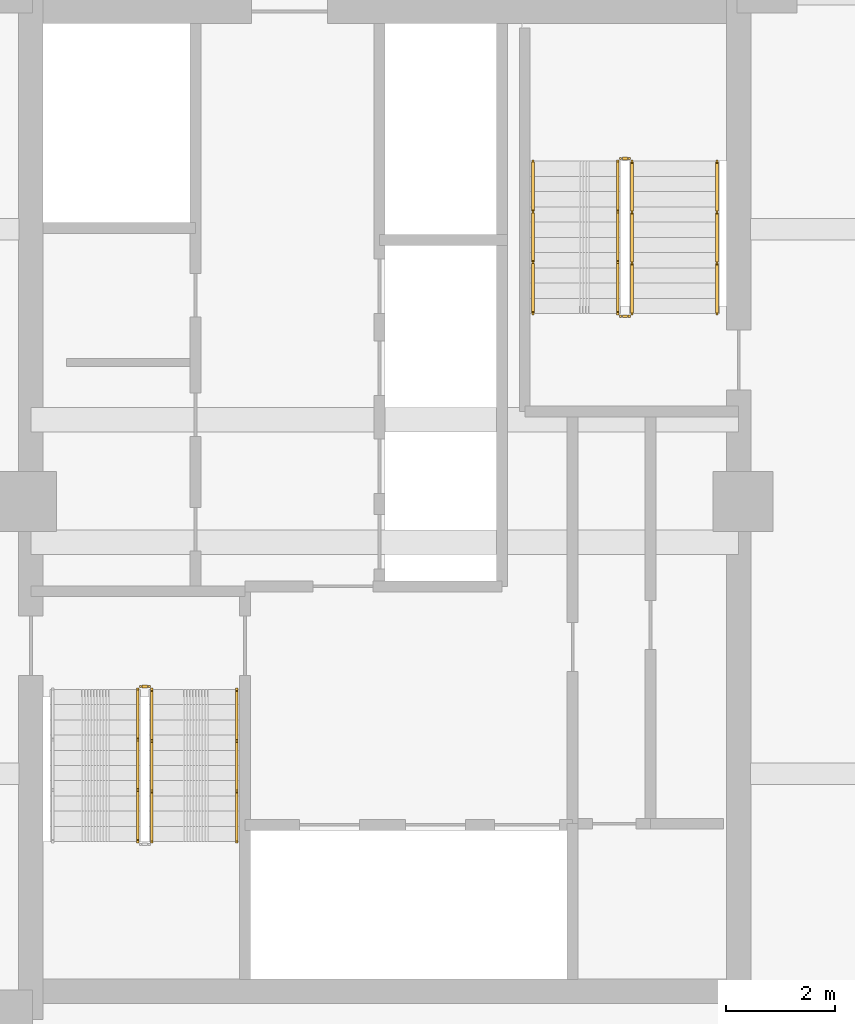
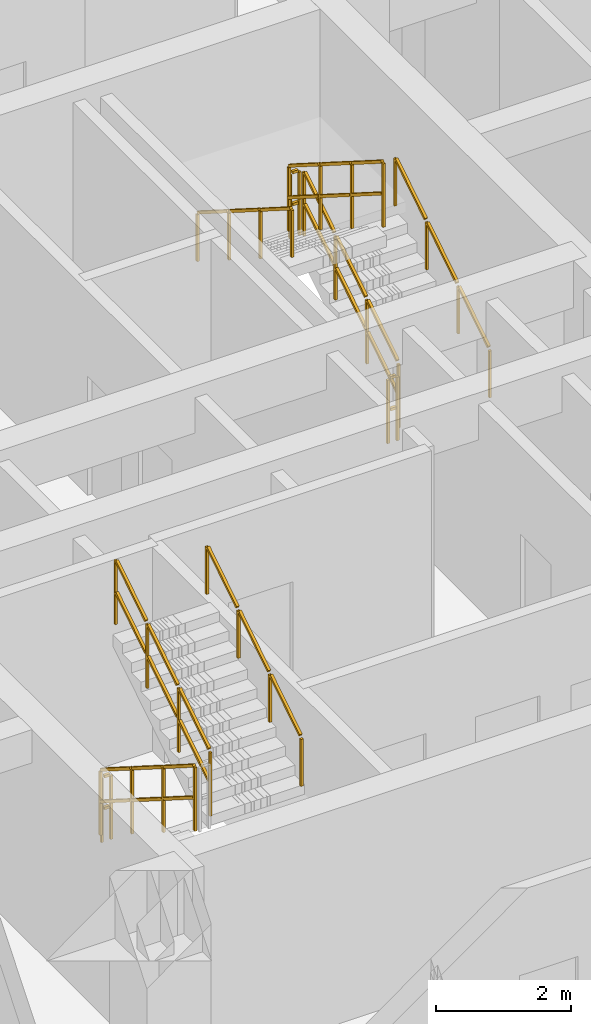
# One storey, part 13 of 15: 10 railings.
"""IFC4 building model written with IfcOpenShell, lengths in metres."""

import ifcopenshell
import ifcopenshell.guid

model = None  # the IFC model being written
_history = None  # IfcOwnerHistory: only IFC2X3 demands one
_inside = {}  # id of a spatial element -> (the spatial element, [elements in it])
_under = {}  # id of a project, library or spatial element -> (it, [spatial elements below it])
_declared = {}  # id of a project -> (the project, [libraries it declares])
_typed = {}  # id of a type object -> (the type object, [elements of that type])
_made_of = {}  # id of a material, layer set ... -> (it, [elements and type objects made of it])


def new_model(schema):
    """Start an empty IFC model of exactly this schema.

    Asked for "IFC4X3", IfcOpenShell would pick the latest addendum, in which some entities
    have other attributes; the version numbers below select the first issue.
    IFC2X3 requires an IfcOwnerHistory on every rooted entity: one is made here for all.
    """
    global model, _history
    if schema == "IFC4X3":
        model = ifcopenshell.file(schema_version=(4, 3, 0, 0))
    else:
        model = ifcopenshell.file(schema=schema)
    _inside.clear()
    _under.clear()
    _declared.clear()
    _typed.clear()
    _made_of.clear()
    _history = None
    if model.schema == "IFC2X3":
        org = make("IfcOrganization", Name="unknown")
        user = make(
            "IfcPersonAndOrganization",
            ThePerson=make("IfcPerson", FamilyName="unknown"),
            TheOrganization=org,
        )
        app = make(
            "IfcApplication",
            ApplicationDeveloper=org,
            Version="unknown",
            ApplicationFullName="unknown",
            ApplicationIdentifier="unknown",
        )
        _history = make(
            "IfcOwnerHistory",
            OwningUser=user,
            OwningApplication=app,
            ChangeAction="ADDED",
            CreationDate=0,
        )
    return model


def make(cls, **values):
    """One entity of the class cls with the attributes given. An attribute that is None is left unset."""
    return model.create_entity(
        cls, **{name: value for name, value in values.items() if value is not None}
    )


def rooted(cls, **values):
    """An entity with a GlobalId (a new one), such as an element, a storey or a relation."""
    return make(cls, GlobalId=ifcopenshell.guid.new(), OwnerHistory=_history, **values)


def si_unit(unit_type, name, prefix=None):
    """IfcSIUnit, for example si_unit("LENGTHUNIT", "METRE", prefix="MILLI")."""
    return make("IfcSIUnit", UnitType=unit_type, Prefix=prefix, Name=name)


def assignment(units):
    """IfcUnitAssignment: the units of a project."""
    return None if units is None else make("IfcUnitAssignment", Units=units)


def point(xyz):
    """IfcCartesianPoint."""
    return None if xyz is None else make("IfcCartesianPoint", Coordinates=xyz)


def direction(xyz):
    """IfcDirection."""
    return None if xyz is None else make("IfcDirection", DirectionRatios=xyz)


def frame(location, z_axis=None, x_axis=None):
    """IfcAxis2Placement3D, a coordinate frame: its origin and axes. An axis left out is left unset."""
    return make(
        "IfcAxis2Placement3D",
        Location=point(location),
        Axis=direction(z_axis),
        RefDirection=direction(x_axis),
    )


def frame_2d(location, x_axis=None):
    """IfcAxis2Placement2D, a coordinate frame in the plane: its origin and x axis."""
    return make(
        "IfcAxis2Placement2D", Location=point(location), RefDirection=direction(x_axis)
    )


def origin():
    """The frame at (0, 0, 0) with its axes left unset."""
    return frame((0.0, 0.0, 0.0))


def origin_2d():
    """The frame at (0, 0) in the plane with its x axis left unset."""
    return frame_2d((0.0, 0.0))


def place(relative_to, where):
    """IfcLocalPlacement: puts the frame where relative to a parent placement (None: the world)."""
    return make(
        "IfcLocalPlacement", PlacementRelTo=relative_to, RelativePlacement=where
    )


def context(
    kind, dimensions, precision=None, world=None, true_north=None, identifier=None
):
    """IfcGeometricRepresentationContext, for example the 3D "Model" context."""
    return make(
        "IfcGeometricRepresentationContext",
        ContextIdentifier=identifier,
        ContextType=kind,
        CoordinateSpaceDimension=dimensions,
        Precision=precision,
        WorldCoordinateSystem=world,
        TrueNorth=true_north,
    )


def subcontext(parent, identifier, kind, view, scale=None):
    """IfcGeometricRepresentationSubContext, for example "Body" below "Model"."""
    return make(
        "IfcGeometricRepresentationSubContext",
        ContextIdentifier=identifier,
        ContextType=kind,
        ParentContext=parent,
        TargetScale=scale,
        TargetView=view,
    )


def project(units=None, contexts=None):
    """IfcProject with its units and contexts."""
    return rooted(
        "IfcProject",
        Name="project",
        RepresentationContexts=contexts,
        UnitsInContext=assignment(units),
    )


def spatial(cls, under=None, at=None, **own):
    """A site, building, storey or space (cls), placed at a placement, below another one or the project."""
    s = rooted(cls, ObjectPlacement=at, **own)
    if under is not None:
        _under.setdefault(under.id(), (under, []))[1].append(s)
    return s


def profile(cls, at=None, kind="AREA", **sizes):
    """A parametric profile (cls). Its sizes go by their IFC names, for example OverallWidth=200.0."""
    return make(cls, ProfileType=kind, Position=at, **sizes)


def rectangle(**sizes):
    """IfcRectangleProfileDef."""
    return profile("IfcRectangleProfileDef", **sizes)


def extrude(swept, where, along, depth):
    """IfcExtrudedAreaSolid: the profile swept, set in the frame where, extruded along a direction by depth."""
    return make(
        "IfcExtrudedAreaSolid",
        SweptArea=swept,
        Position=where,
        ExtrudedDirection=direction(along),
        Depth=depth,
    )


def shape(context_of_items, identifier, shape_type, items):
    """IfcShapeRepresentation: the items that make up one representation, for example the "Body"."""
    return make(
        "IfcShapeRepresentation",
        ContextOfItems=context_of_items,
        RepresentationIdentifier=identifier,
        RepresentationType=shape_type,
        Items=items,
    )


def material(Name=None, Category=None):
    """IfcMaterial."""
    return make("IfcMaterial", Name=Name, Category=Category)


def made_of(thing, what):
    """Note that an element or type object is made of a material, layer set ...; save() writes the relation."""
    if what is not None:
        _made_of.setdefault(what.id(), (what, []))[1].append(thing)
    return thing


def type_object(cls, material=None, **own):
    """A type object (cls), such as IfcWallType, which elements share."""
    return made_of(rooted(cls, **own), material)


def element(
    cls,
    number,
    at=None,
    inside=None,
    cuts=None,
    type_object=None,
    material=None,
    context=None,
    identifier="Body",
    shape_type=None,
    held_by="IfcProductDefinitionShape",
    body=None,
    shapes=None,
    **own,
):
    """One element of the class cls, such as IfcWall. Its Tag is "e" and its number.

    at: its placement. inside: the storey or other place that contains it. cuts: it is an
    opening in that element (IfcRelVoidsElement). A single representation is given by context,
    identifier, shape_type and body (its items); several are given by shapes. held_by: the class
    of the entity that holds the representations. save() writes the other relations.
    """
    e = rooted(cls, Tag="e%d" % number, ObjectPlacement=at, **own)
    if body is not None:
        shapes = [shape(context, identifier, shape_type, body)]
    if shapes is not None:
        e.Representation = make(held_by, Representations=shapes)
    if inside is not None:
        _inside.setdefault(inside.id(), (inside, []))[1].append(e)
    if cuts is not None:
        rooted(
            "IfcRelVoidsElement", RelatingBuildingElement=cuts, RelatedOpeningElement=e
        )
    if type_object is not None:
        _typed.setdefault(type_object.id(), (type_object, []))[1].append(e)
    return made_of(e, material)


def aggregate(whole, parts):
    """IfcRelAggregates: a whole, such as a stair, and the parts it consists of."""
    return rooted("IfcRelAggregates", RelatingObject=whole, RelatedObjects=parts)


def save(model, path):
    """Write the relations noted so far, then the file.

    IfcRelAggregates (storeys below a building ...), IfcRelContainedInSpatialStructure (elements
    in a storey), IfcRelDefinesByType, IfcRelAssociatesMaterial and IfcRelDeclares: one each for
    every whole, place, type object, material and project.
    """
    for whole, parts in _under.values():
        aggregate(whole, parts)
    for where, things in _inside.values():
        rooted(
            "IfcRelContainedInSpatialStructure",
            RelatedElements=things,
            RelatingStructure=where,
        )
    for kind, things in _typed.values():
        rooted("IfcRelDefinesByType", RelatedObjects=things, RelatingType=kind)
    for what, things in _made_of.values():
        rooted("IfcRelAssociatesMaterial", RelatedObjects=things, RelatingMaterial=what)
    for by, libraries in _declared.values():
        rooted("IfcRelDeclares", RelatingContext=by, RelatedDefinitions=libraries)
    model.write(path)


model = new_model("IFC4")

# Units and contexts
model_context = context("Model", 3, precision=1e-05, world=origin(), true_north=direction((0.0, 1.0)))
body_context = subcontext(model_context, "Body", "Model", "MODEL_VIEW")
ifc_project = project(units=[si_unit("LENGTHUNIT", "METRE"), si_unit("AREAUNIT", "SQUARE_METRE"), si_unit("VOLUMEUNIT", "CUBIC_METRE"), si_unit("PLANEANGLEUNIT", "RADIAN"), si_unit("MASSUNIT", "GRAM", prefix="KILO")], contexts=[model_context])

# Site, building, storey
site_placement = place(None, origin())
site = spatial("IfcSite", under=ifc_project, at=site_placement, CompositionType="ELEMENT")
building_placement = place(site_placement, origin())
building = spatial("IfcBuilding", under=site, at=building_placement, Name="Saelheon Loggia Tower", CompositionType="ELEMENT")
storey_placement = place(building_placement, frame((0.0, 0.0, 159.10009765625)))
storey = spatial("IfcBuildingStorey", under=building, at=storey_placement, Name="L50", CompositionType="ELEMENT", Elevation=159.10009765625)

# Railings
ifc_material_1 = material(Name="Galvanised Steel S275 Stairwell Guardrail", Category="steel")
railing_type_1 = type_object("IfcRailingType", Name="Guard_StairWell_RL_STG", PredefinedType="GUARDRAIL", material=ifc_material_1)
railing_1_placement = place(storey_placement, frame((33.4599609375, 23.550048828125, 0.17724609375)))
element("IfcRailing", 1, at=railing_1_placement, inside=storey, type_object=railing_type_1, Name="L50 ST1 stair guard 1", PredefinedType="GUARDRAIL", context=body_context, shape_type="SweptSolid", body=[
    extrude(rectangle(XDim=0.048095703125, YDim=0.048095703125, at=origin_2d()), frame((0.0, -0.028076171875, 1.193603515625), z_axis=(0.0, -0.844908973607, 0.534910110503), x_axis=(1.0, 0.0, 0.0)), (0.0, 0.0, 1.0), 1.0380859375),
    extrude(rectangle(XDim=0.048095703125, YDim=0.048095703125, at=origin_2d()), frame((0.0, -0.028076171875, 0.61767578125), z_axis=(0.0, -0.844908973607, 0.534910110503), x_axis=(1.0, 0.0, 0.0)), (0.0, 0.0, 1.0), 1.0380859375),
    extrude(rectangle(XDim=0.048095703125, YDim=0.048095703125, at=origin_2d()), frame((0.0, -0.96142578125, 1.78466796875), z_axis=(0.0, -0.844908973607, 0.534910110503), x_axis=(1.0, 0.0, 0.0)), (0.0, 0.0, 1.0), 1.0380859375),
    extrude(rectangle(XDim=0.048095703125, YDim=0.048095703125, at=origin_2d()), frame((0.0, -0.96142578125, 1.208740234375), z_axis=(0.0, -0.844908973607, 0.534910110503), x_axis=(1.0, 0.0, 0.0)), (0.0, 0.0, 1.0), 1.0380859375),
    extrude(rectangle(XDim=0.048095703125, YDim=0.048095703125, at=origin_2d()), frame((0.0, -1.894775390625, 2.37548828125), z_axis=(0.0, -0.844908973607, 0.534910110503), x_axis=(1.0, 0.0, 0.0)), (0.0, 0.0, 1.0), 1.0380859375),
    extrude(rectangle(XDim=0.048095703125, YDim=0.048095703125, at=origin_2d()), frame((0.0, -1.894775390625, 1.799560546875), z_axis=(0.0, -0.844908973607, 0.534910110503), x_axis=(1.0, 0.0, 0.0)), (0.0, 0.0, 1.0), 1.0380859375),
    extrude(rectangle(XDim=0.0419921875, YDim=0.0419921875, at=origin_2d()), origin(), (0.0, 0.0, 1.0), 1.14794921875),
    extrude(rectangle(XDim=0.0419921875, YDim=0.0419921875, at=origin_2d()), frame((0.0, -0.933349609375, 0.5908203125)), (0.0, 0.0, 1.0), 1.14794921875),
    extrude(rectangle(XDim=0.0419921875, YDim=0.0419921875, at=origin_2d()), frame((0.0, -1.86669921875, 1.181884765625)), (0.0, 0.0, 1.0), 1.14794921875),
    extrude(rectangle(XDim=0.0419921875, YDim=0.0419921875, at=origin_2d()), frame((0.0, -2.800048828125, 1.772705078125)), (0.0, 0.0, 1.0), 1.14794921875),
])
railing_2_placement = place(storey_placement, frame((33.719970703125, 20.75, 2.127197265625)))
element("IfcRailing", 2, at=railing_2_placement, inside=storey, type_object=railing_type_1, Name="L50 ST1 stair guard 3", PredefinedType="GUARDRAIL", context=body_context, shape_type="SweptSolid", body=[
    extrude(rectangle(XDim=0.048095703125, YDim=0.048095703125, at=origin_2d()), frame((0.0, 0.028076171875, 1.193603515625), z_axis=(0.0, 0.844908973607, 0.534910110503), x_axis=(-1.0, 0.0, 0.0)), (0.0, 0.0, 1.0), 1.0380859375),
    extrude(rectangle(XDim=0.048095703125, YDim=0.048095703125, at=origin_2d()), frame((0.0, 0.028076171875, 0.61767578125), z_axis=(0.0, 0.844908973607, 0.534910110503), x_axis=(-1.0, 0.0, 0.0)), (0.0, 0.0, 1.0), 1.0380859375),
    extrude(rectangle(XDim=0.048095703125, YDim=0.048095703125, at=origin_2d()), frame((0.0, 0.96142578125, 1.78466796875), z_axis=(0.0, 0.844908973607, 0.534910110503), x_axis=(-1.0, 0.0, 0.0)), (0.0, 0.0, 1.0), 1.0380859375),
    extrude(rectangle(XDim=0.048095703125, YDim=0.048095703125, at=origin_2d()), frame((0.0, 0.96142578125, 1.208740234375), z_axis=(0.0, 0.844908973607, 0.534910110503), x_axis=(-1.0, 0.0, 0.0)), (0.0, 0.0, 1.0), 1.0380859375),
    extrude(rectangle(XDim=0.048095703125, YDim=0.048095703125, at=origin_2d()), frame((0.0, 1.894775390625, 2.37548828125), z_axis=(0.0, 0.844908973607, 0.534910110503), x_axis=(-1.0, 0.0, 0.0)), (0.0, 0.0, 1.0), 1.0380859375),
    extrude(rectangle(XDim=0.048095703125, YDim=0.048095703125, at=origin_2d()), frame((0.0, 1.894775390625, 1.799560546875), z_axis=(0.0, 0.844908973607, 0.534910110503), x_axis=(-1.0, 0.0, 0.0)), (0.0, 0.0, 1.0), 1.0380859375),
    extrude(rectangle(XDim=0.0419921875, YDim=0.0419921875, at=origin_2d()), origin(), (0.0, 0.0, 1.0), 1.14794921875),
    extrude(rectangle(XDim=0.0419921875, YDim=0.0419921875, at=origin_2d()), frame((0.0, 0.933349609375, 0.5908203125)), (0.0, 0.0, 1.0), 1.14794921875),
    extrude(rectangle(XDim=0.0419921875, YDim=0.0419921875, at=origin_2d()), frame((0.0, 1.86669921875, 1.181884765625)), (0.0, 0.0, 1.0), 1.14794921875),
    extrude(rectangle(XDim=0.0419921875, YDim=0.0419921875, at=origin_2d()), frame((0.0, 2.800048828125, 1.772705078125)), (0.0, 0.0, 1.0), 1.14794921875),
])
railing_3_placement = place(storey_placement, frame((33.510009765625, 23.60009765625, 0.0)))
element("IfcRailing", 3, at=railing_3_placement, inside=storey, type_object=railing_type_1, Name="L50 ST1 stair guard 4", PredefinedType="GUARDRAIL", context=body_context, shape_type="SweptSolid", body=[
    extrude(rectangle(XDim=0.048095703125, YDim=0.048095703125, at=origin_2d()), frame((0.033203125, 0.0, 1.17578125), z_axis=(1.0, 0.0, 0.0), x_axis=(0.0, 1.0, 0.0)), (0.0, 0.0, 1.0), 0.093505859375),
    extrude(rectangle(XDim=0.048095703125, YDim=0.048095703125, at=origin_2d()), frame((0.033203125, 0.0, 0.60009765625), z_axis=(1.0, 0.0, 0.0), x_axis=(0.0, 1.0, 0.0)), (0.0, 0.0, 1.0), 0.093505859375),
    extrude(rectangle(XDim=0.0419921875, YDim=0.0419921875, at=origin_2d()), origin(), (0.0, 0.0, 1.0), 1.14794921875),
    extrude(rectangle(XDim=0.0419921875, YDim=0.0419921875, at=origin_2d()), frame((0.159912109375, 0.0, 0.0)), (0.0, 0.0, 1.0), 1.14794921875),
])
railing_4_placement = place(storey_placement, frame((42.5400390625, 30.449951171875, 0.17724609375)))
element("IfcRailing", 4, at=railing_4_placement, inside=storey, type_object=railing_type_1, Name="L50 ST2 stair guard 1", PredefinedType="GUARDRAIL", context=body_context, shape_type="SweptSolid", body=[
    extrude(rectangle(XDim=0.048095703125, YDim=0.048095703125, at=origin_2d()), frame((0.0, 0.028076171875, 1.193603515625), z_axis=(0.0, 0.844908973607, 0.534910110503), x_axis=(-1.0, 0.0, 0.0)), (0.0, 0.0, 1.0), 1.0380859375),
    extrude(rectangle(XDim=0.048095703125, YDim=0.048095703125, at=origin_2d()), frame((0.0, 0.028076171875, 0.61767578125), z_axis=(0.0, 0.844908973607, 0.534910110503), x_axis=(-1.0, 0.0, 0.0)), (0.0, 0.0, 1.0), 1.0380859375),
    extrude(rectangle(XDim=0.048095703125, YDim=0.048095703125, at=origin_2d()), frame((0.0, 0.96142578125, 1.78466796875), z_axis=(0.0, 0.844908973607, 0.534910110503), x_axis=(-1.0, 0.0, 0.0)), (0.0, 0.0, 1.0), 1.0380859375),
    extrude(rectangle(XDim=0.048095703125, YDim=0.048095703125, at=origin_2d()), frame((0.0, 0.96142578125, 1.208740234375), z_axis=(0.0, 0.844908973607, 0.534910110503), x_axis=(-1.0, 0.0, 0.0)), (0.0, 0.0, 1.0), 1.0380859375),
    extrude(rectangle(XDim=0.048095703125, YDim=0.048095703125, at=origin_2d()), frame((0.0, 1.894775390625, 2.37548828125), z_axis=(0.0, 0.844908973607, 0.534910110503), x_axis=(-1.0, 0.0, 0.0)), (0.0, 0.0, 1.0), 1.0380859375),
    extrude(rectangle(XDim=0.048095703125, YDim=0.048095703125, at=origin_2d()), frame((0.0, 1.894775390625, 1.799560546875), z_axis=(0.0, 0.844908973607, 0.534910110503), x_axis=(-1.0, 0.0, 0.0)), (0.0, 0.0, 1.0), 1.0380859375),
    extrude(rectangle(XDim=0.0419921875, YDim=0.0419921875, at=origin_2d()), origin(), (0.0, 0.0, 1.0), 1.14794921875),
    extrude(rectangle(XDim=0.0419921875, YDim=0.0419921875, at=origin_2d()), frame((0.0, 0.933349609375, 0.5908203125)), (0.0, 0.0, 1.0), 1.14794921875),
    extrude(rectangle(XDim=0.0419921875, YDim=0.0419921875, at=origin_2d()), frame((0.0, 1.86669921875, 1.181884765625)), (0.0, 0.0, 1.0), 1.14794921875),
    extrude(rectangle(XDim=0.0419921875, YDim=0.0419921875, at=origin_2d()), frame((0.0, 2.800048828125, 1.772705078125)), (0.0, 0.0, 1.0), 1.14794921875),
])
railing_5_placement = place(storey_placement, frame((42.489990234375, 33.300048828125, 1.949951171875)))
element("IfcRailing", 5, at=railing_5_placement, inside=storey, type_object=railing_type_1, Name="L50 ST2 stair guard 2", PredefinedType="GUARDRAIL", context=body_context, shape_type="SweptSolid", body=[
    extrude(rectangle(XDim=0.048095703125, YDim=0.048095703125, at=origin_2d()), frame((-0.033203125, 0.0, 1.17578125), z_axis=(-1.0, 0.0, 0.0), x_axis=(0.0, -1.0, 0.0)), (0.0, 0.0, 1.0), 0.093505859375),
    extrude(rectangle(XDim=0.048095703125, YDim=0.048095703125, at=origin_2d()), frame((-0.033203125, 0.0, 0.60009765625), z_axis=(-1.0, 0.0, 0.0), x_axis=(0.0, -1.0, 0.0)), (0.0, 0.0, 1.0), 0.093505859375),
    extrude(rectangle(XDim=0.0419921875, YDim=0.0419921875, at=origin_2d()), origin(), (0.0, 0.0, 1.0), 1.14794921875),
    extrude(rectangle(XDim=0.0419921875, YDim=0.0419921875, at=origin_2d()), frame((-0.159912109375, 0.0, 0.0)), (0.0, 0.0, 1.0), 1.14794921875),
])
railing_6_placement = place(storey_placement, frame((42.280029296875, 33.25, 2.127197265625)))
element("IfcRailing", 6, at=railing_6_placement, inside=storey, type_object=railing_type_1, Name="L50 ST2 stair guard 3", PredefinedType="GUARDRAIL", context=body_context, shape_type="SweptSolid", body=[
    extrude(rectangle(XDim=0.048095703125, YDim=0.048095703125, at=origin_2d()), frame((0.0, -0.028076171875, 1.193603515625), z_axis=(0.0, -0.844908973607, 0.534910110503), x_axis=(1.0, 0.0, 0.0)), (0.0, 0.0, 1.0), 1.0380859375),
    extrude(rectangle(XDim=0.048095703125, YDim=0.048095703125, at=origin_2d()), frame((0.0, -0.028076171875, 0.61767578125), z_axis=(0.0, -0.844908973607, 0.534910110503), x_axis=(1.0, 0.0, 0.0)), (0.0, 0.0, 1.0), 1.0380859375),
    extrude(rectangle(XDim=0.048095703125, YDim=0.048095703125, at=origin_2d()), frame((0.0, -0.96142578125, 1.78466796875), z_axis=(0.0, -0.844908973607, 0.534910110503), x_axis=(1.0, 0.0, 0.0)), (0.0, 0.0, 1.0), 1.0380859375),
    extrude(rectangle(XDim=0.048095703125, YDim=0.048095703125, at=origin_2d()), frame((0.0, -0.96142578125, 1.208740234375), z_axis=(0.0, -0.844908973607, 0.534910110503), x_axis=(1.0, 0.0, 0.0)), (0.0, 0.0, 1.0), 1.0380859375),
    extrude(rectangle(XDim=0.048095703125, YDim=0.048095703125, at=origin_2d()), frame((0.0, -1.894775390625, 2.37548828125), z_axis=(0.0, -0.844908973607, 0.534910110503), x_axis=(1.0, 0.0, 0.0)), (0.0, 0.0, 1.0), 1.0380859375),
    extrude(rectangle(XDim=0.048095703125, YDim=0.048095703125, at=origin_2d()), frame((0.0, -1.894775390625, 1.799560546875), z_axis=(0.0, -0.844908973607, 0.534910110503), x_axis=(1.0, 0.0, 0.0)), (0.0, 0.0, 1.0), 1.0380859375),
    extrude(rectangle(XDim=0.0419921875, YDim=0.0419921875, at=origin_2d()), origin(), (0.0, 0.0, 1.0), 1.14794921875),
    extrude(rectangle(XDim=0.0419921875, YDim=0.0419921875, at=origin_2d()), frame((0.0, -0.933349609375, 0.5908203125)), (0.0, 0.0, 1.0), 1.14794921875),
    extrude(rectangle(XDim=0.0419921875, YDim=0.0419921875, at=origin_2d()), frame((0.0, -1.86669921875, 1.181884765625)), (0.0, 0.0, 1.0), 1.14794921875),
    extrude(rectangle(XDim=0.0419921875, YDim=0.0419921875, at=origin_2d()), frame((0.0, -2.800048828125, 1.772705078125)), (0.0, 0.0, 1.0), 1.14794921875),
])
railing_7_placement = place(storey_placement, frame((42.489990234375, 30.39990234375, 0.0)))
element("IfcRailing", 7, at=railing_7_placement, inside=storey, type_object=railing_type_1, Name="L50 ST2 stair guard 4", PredefinedType="GUARDRAIL", context=body_context, shape_type="SweptSolid", body=[
    extrude(rectangle(XDim=0.048095703125, YDim=0.048095703125, at=origin_2d()), frame((-0.033203125, 0.0, 1.17578125), z_axis=(-1.0, 0.0, 0.0), x_axis=(0.0, -1.0, 0.0)), (0.0, 0.0, 1.0), 0.093505859375),
    extrude(rectangle(XDim=0.048095703125, YDim=0.048095703125, at=origin_2d()), frame((-0.033203125, 0.0, 0.60009765625), z_axis=(-1.0, 0.0, 0.0), x_axis=(0.0, -1.0, 0.0)), (0.0, 0.0, 1.0), 0.093505859375),
    extrude(rectangle(XDim=0.0419921875, YDim=0.0419921875, at=origin_2d()), origin(), (0.0, 0.0, 1.0), 1.14794921875),
    extrude(rectangle(XDim=0.0419921875, YDim=0.0419921875, at=origin_2d()), frame((-0.159912109375, 0.0, 0.0)), (0.0, 0.0, 1.0), 1.14794921875),
])
ifc_material_2 = material(Name="Stainless Steel 304 Tubular Handrail", Category="steel")
railing_type_2 = type_object("IfcRailingType", Name="Handrail_Stair_RL_HR1", PredefinedType="HANDRAIL", material=ifc_material_2)
for number, where, name in (
    (8, (35.280029296875, 20.75, 2.127197265625), "L50 ST1 stair handrail 2"),
    (9, (44.10009765625, 30.449951171875, 0.17724609375), "L50 ST2 stair handrail 1"),
):
    element("IfcRailing", number, at=place(storey_placement, frame(where)), inside=storey, type_object=railing_type_2, Name=name, PredefinedType="HANDRAIL", context=body_context, shape_type="SweptSolid", body=[
        extrude(rectangle(XDim=0.048095703125, YDim=0.048095703125, at=origin_2d()), frame((0.0, 0.028076171875, 0.8935546875), z_axis=(0.0, 0.844908973607, 0.534910110503), x_axis=(-1.0, 0.0, 0.0)), (0.0, 0.0, 1.0), 1.0380859375),
        extrude(rectangle(XDim=0.048095703125, YDim=0.048095703125, at=origin_2d()), frame((0.0, 0.96142578125, 1.484619140625), z_axis=(0.0, 0.844908973607, 0.534910110503), x_axis=(-1.0, 0.0, 0.0)), (0.0, 0.0, 1.0), 1.0380859375),
        extrude(rectangle(XDim=0.048095703125, YDim=0.048095703125, at=origin_2d()), frame((0.0, 1.894775390625, 2.075439453125), z_axis=(0.0, 0.844908973607, 0.534910110503), x_axis=(-1.0, 0.0, 0.0)), (0.0, 0.0, 1.0), 1.0380859375),
        extrude(rectangle(XDim=0.0419921875, YDim=0.0419921875, at=origin_2d()), origin(), (0.0, 0.0, 1.0), 0.847900390625),
        extrude(rectangle(XDim=0.0419921875, YDim=0.0419921875, at=origin_2d()), frame((0.0, 0.933349609375, 0.5908203125)), (0.0, 0.0, 1.0), 0.847900390625),
        extrude(rectangle(XDim=0.0419921875, YDim=0.0419921875, at=origin_2d()), frame((0.0, 1.86669921875, 1.181884765625)), (0.0, 0.0, 1.0), 0.847900390625),
        extrude(rectangle(XDim=0.0419921875, YDim=0.0419921875, at=origin_2d()), frame((0.0, 2.800048828125, 1.772705078125)), (0.0, 0.0, 1.0), 0.847900390625),
    ])
railing_8_placement = place(storey_placement, frame((40.719970703125, 33.25, 2.127197265625)))
element("IfcRailing", 10, at=railing_8_placement, inside=storey, type_object=railing_type_2, Name="L50 ST2 stair handrail 2", PredefinedType="HANDRAIL", context=body_context, shape_type="SweptSolid", body=[
    extrude(rectangle(XDim=0.048095703125, YDim=0.048095703125, at=origin_2d()), frame((0.0, -0.028076171875, 0.8935546875), z_axis=(0.0, -0.844908973607, 0.534910110503), x_axis=(1.0, 0.0, 0.0)), (0.0, 0.0, 1.0), 1.0380859375),
    extrude(rectangle(XDim=0.048095703125, YDim=0.048095703125, at=origin_2d()), frame((0.0, -0.96142578125, 1.484619140625), z_axis=(0.0, -0.844908973607, 0.534910110503), x_axis=(1.0, 0.0, 0.0)), (0.0, 0.0, 1.0), 1.0380859375),
    extrude(rectangle(XDim=0.048095703125, YDim=0.048095703125, at=origin_2d()), frame((0.0, -1.894775390625, 2.075439453125), z_axis=(0.0, -0.844908973607, 0.534910110503), x_axis=(1.0, 0.0, 0.0)), (0.0, 0.0, 1.0), 1.0380859375),
    extrude(rectangle(XDim=0.0419921875, YDim=0.0419921875, at=origin_2d()), origin(), (0.0, 0.0, 1.0), 0.847900390625),
    extrude(rectangle(XDim=0.0419921875, YDim=0.0419921875, at=origin_2d()), frame((0.0, -0.933349609375, 0.5908203125)), (0.0, 0.0, 1.0), 0.847900390625),
    extrude(rectangle(XDim=0.0419921875, YDim=0.0419921875, at=origin_2d()), frame((0.0, -1.86669921875, 1.181884765625)), (0.0, 0.0, 1.0), 0.847900390625),
    extrude(rectangle(XDim=0.0419921875, YDim=0.0419921875, at=origin_2d()), frame((0.0, -2.800048828125, 1.772705078125)), (0.0, 0.0, 1.0), 0.847900390625),
])

save(model, "model.ifc")
